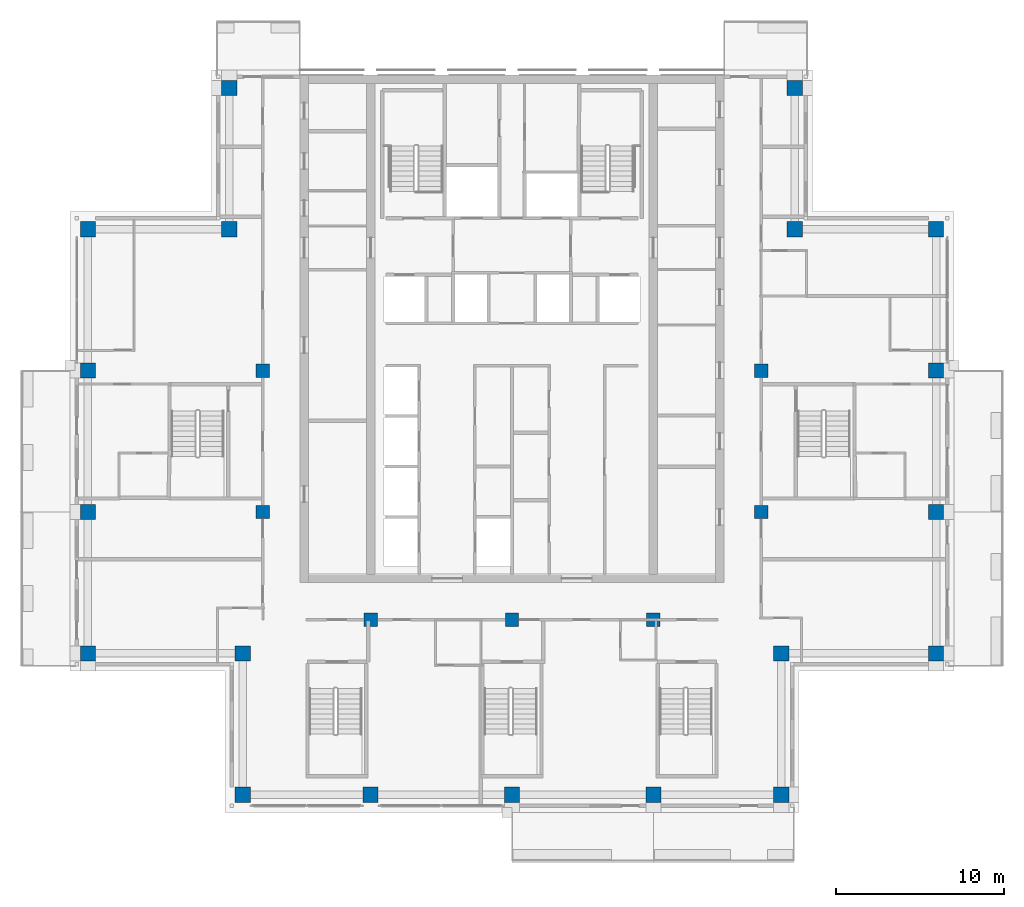
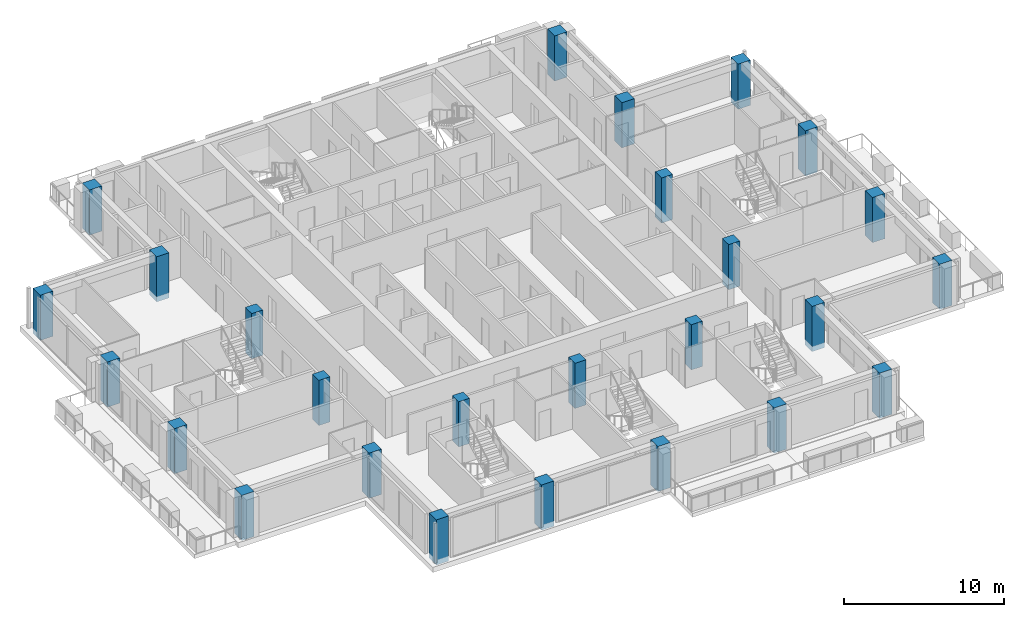
# One storey, part 1 of 17: 26 columns.
"""IFC4 building model written with IfcOpenShell, lengths in metres."""

from ifc_helpers import new_model, si_unit, direction, frame, origin, origin_2d, place, context, subcontext, project, spatial, rectangle, extrude, material, material_profile, profile_set, type_object, element, save


model = new_model("IFC4")

# Units and contexts
model_context = context("Model", 3, precision=1e-05, world=origin(), true_north=direction((0.0, 1.0)))
body_context = subcontext(model_context, "Body", "Model", "MODEL_VIEW")
ifc_project = project(units=[si_unit("LENGTHUNIT", "METRE"), si_unit("AREAUNIT", "SQUARE_METRE"), si_unit("VOLUMEUNIT", "CUBIC_METRE"), si_unit("PLANEANGLEUNIT", "RADIAN"), si_unit("MASSUNIT", "GRAM", prefix="KILO")], contexts=[model_context])

# Site, building, storey
site_placement = place(None, origin())
site = spatial("IfcSite", under=ifc_project, at=site_placement, CompositionType="ELEMENT")
building_placement = place(site_placement, origin())
building = spatial("IfcBuilding", under=site, at=building_placement, Name="Vermilion Ogive Tower", CompositionType="ELEMENT")
storey_placement = place(building_placement, frame((0.0, 0.0, 244.14990234375)))
storey = spatial("IfcBuildingStorey", under=building, at=storey_placement, Name="L64", CompositionType="ELEMENT", Elevation=244.14990234375)

# Columns
ifc_material_1 = material(Name="Concrete B60", Category="concrete")
ifc_material_profile_1 = material_profile(ifc_material_1, rectangle(XDim=0.89990234375, YDim=0.89990234375, at=origin_2d()), Name="900 x 900")
ifc_profile_set_1 = profile_set([ifc_material_profile_1], Name="Concrete B60")
column_type_1 = type_object("IfcColumnType", Name="Perimeter column 900 x 900 B60", PredefinedType="COLUMN", material=ifc_profile_set_1)
for number, where, z_axis, x_axis, name in (
    (1, (-16.0, -21.0, -0.39990234375), (0.0, 0.0, 1.0), (1.0, 0.0, 0.0), "COL-L64-P-0160-210"),
    (2, (-8.39990234375, -21.0, -0.39990234375), (0.0, 0.0, 1.0), (1.0, 0.0, 0.0), "COL-L64-P-0084-210"),
    (3, (0.0, -21.0, -0.39990234375), (0.0, 0.0, 1.0), (1.0, 0.0, 0.0), "COL-L64-P+0000-210"),
    (4, (8.39990234375, -21.0, -0.39990234375), (0.0, 0.0, 1.0), (1.0, 0.0, 0.0), "COL-L64-P+0084-210"),
    (5, (16.0, -21.0, -0.39990234375), (0.0, 0.0, 1.0), (1.0, 0.0, 0.0), "COL-L64-P+0160-210"),
    (6, (-25.199951171875, -12.60009765625, -0.39990234375), (0.0, 0.0, 1.0), (1.0, 0.0, 0.0), "COL-L64-P-0252-126"),
    (7, (-16.0, -12.60009765625, -0.39990234375), (0.0, 0.0, 1.0), (1.0, 0.0, 0.0), "COL-L64-P-0160-126"),
    (8, (16.0, -12.60009765625, -0.39990234375), (0.0, 0.0, 1.0), (1.0, 0.0, 0.0), "COL-L64-P+0160-126"),
    (9, (25.199951171875, -12.60009765625, -0.39990234375), (0.0, 0.0, 1.0), (1.0, 0.0, 0.0), "COL-L64-P+0252-126"),
    (10, (-25.199951171875, -4.199951171875, -0.39990234375), (0.0, 0.0, 1.0), (1.0, 0.0, 0.0), "COL-L64-P-0252-042"),
    (11, (25.199951171875, -4.199951171875, -0.39990234375), (0.0, 0.0, 1.0), (1.0, 0.0, 0.0), "COL-L64-P+0252-042"),
    (12, (-25.199951171875, 4.199951171875, -0.39990234375), (0.0, 0.0, 1.0), (1.0, 0.0, 0.0), "COL-L64-P-0252+042"),
    (13, (25.199951171875, 4.199951171875, -0.39990234375), (0.0, 0.0, 1.0), (1.0, 0.0, 0.0), "COL-L64-P+0252+042"),
    (14, (-25.199951171875, 12.60009765625, -0.39990234375), (0.0, 0.0, 1.0), (1.0, 0.0, 0.0), "COL-L64-P-0252+126"),
    (15, (-16.800048828125, 12.60009765625, -0.39990234375), (0.0, 0.0, 1.0), (1.0, 0.0, 0.0), "COL-L64-P-0168+126"),
    (16, (16.800048828125, 12.60009765625, -0.39990234375), (0.0, 0.0, 1.0), (1.0, 0.0, 0.0), "COL-L64-P+0168+126"),
    (17, (25.199951171875, 12.60009765625, -0.39990234375), (0.0, 0.0, 1.0), (1.0, 0.0, 0.0), "COL-L64-P+0252+126"),
    (18, (-16.800048828125, 21.0, -0.39990234375), (0.0, 0.0, 1.0), (1.0, 0.0, 0.0), "COL-L64-P-0168+210"),
    (19, (16.800048828125, 21.0, -0.39990234375), (0.0, 0.0, 1.0), (1.0, 0.0, 0.0), "COL-L64-P+0168+210"),
):
    element("IfcColumn", number, at=place(storey_placement, frame(where, z_axis=z_axis, x_axis=x_axis)), inside=storey, type_object=column_type_1, Name=name, PredefinedType="COLUMN", context=body_context, shape_type="SweptSolid", body=[
        extrude(rectangle(XDim=0.89990234375, YDim=0.89990234375, at=origin_2d()), origin(), (0.0, 0.0, 1.0), 3.449951171875),
    ])
ifc_material_2 = material(Name="Concrete B60", Category="concrete")
ifc_material_profile_2 = material_profile(ifc_material_2, rectangle(XDim=0.800048828125, YDim=0.800048828125, at=origin_2d()), Name="800 x 800")
ifc_profile_set_2 = profile_set([ifc_material_profile_2], Name="Concrete B60")
column_type_2 = type_object("IfcColumnType", Name="Ring column 800 x 800 B60", PredefinedType="COLUMN", material=ifc_profile_set_2)
for number, where, z_axis, x_axis, name in (
    (20, (-8.39990234375, -10.60009765625, -0.39990234375), (0.0, 0.0, 1.0), (1.0, 0.0, 0.0), "COL-L64-R-0084-106"),
    (21, (0.0, -10.60009765625, -0.39990234375), (0.0, 0.0, 1.0), (1.0, 0.0, 0.0), "COL-L64-R+0000-106"),
    (22, (8.39990234375, -10.60009765625, -0.39990234375), (0.0, 0.0, 1.0), (1.0, 0.0, 0.0), "COL-L64-R+0084-106"),
    (23, (-14.800048828125, -4.199951171875, -0.39990234375), (0.0, 0.0, 1.0), (1.0, 0.0, 0.0), "COL-L64-R-0148-042"),
    (24, (14.800048828125, -4.199951171875, -0.39990234375), (0.0, 0.0, 1.0), (1.0, 0.0, 0.0), "COL-L64-R+0148-042"),
    (25, (-14.800048828125, 4.199951171875, -0.39990234375), (0.0, 0.0, 1.0), (1.0, 0.0, 0.0), "COL-L64-R-0148+042"),
    (26, (14.800048828125, 4.199951171875, -0.39990234375), (0.0, 0.0, 1.0), (1.0, 0.0, 0.0), "COL-L64-R+0148+042"),
):
    element("IfcColumn", number, at=place(storey_placement, frame(where, z_axis=z_axis, x_axis=x_axis)), inside=storey, type_object=column_type_2, Name=name, PredefinedType="COLUMN", context=body_context, shape_type="SweptSolid", body=[
        extrude(rectangle(XDim=0.800048828125, YDim=0.800048828125, at=origin_2d()), origin(), (0.0, 0.0, 1.0), 3.449951171875),
    ])

save(model, "model.ifc")
